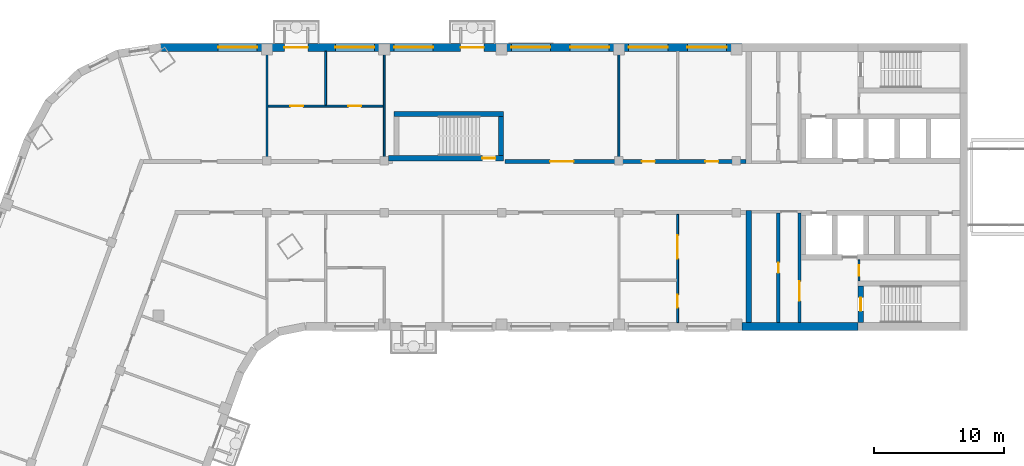
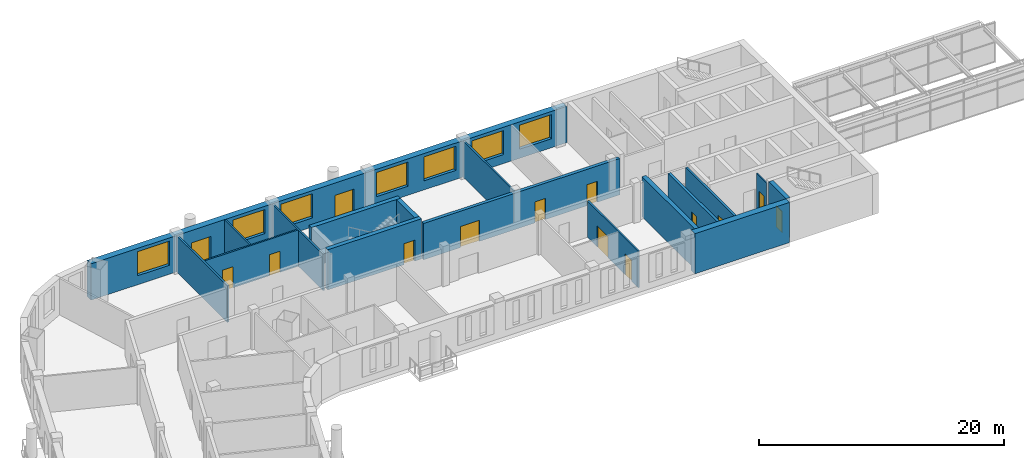
# One storey, part 7 of 12: 17 walls, 14 doors, 7 windows, 21 openings.
"""IFC4 building model written with IfcOpenShell, lengths in metres."""

from ifc_helpers import new_model, si_unit, direction, frame, frame_2d, origin, place, context, subcontext, project, spatial, rectangle, extrude, material, layer, layer_set, type_object, element, fill, save


model = new_model("IFC4")

# Units and contexts
model_context = context("Model", 3, precision=1e-05, world=origin(), true_north=direction((0.0, 1.0)))
body_context = subcontext(model_context, "Body", "Model", "MODEL_VIEW")
ifc_project = project(units=[si_unit("LENGTHUNIT", "METRE"), si_unit("AREAUNIT", "SQUARE_METRE"), si_unit("VOLUMEUNIT", "CUBIC_METRE"), si_unit("PLANEANGLEUNIT", "RADIAN"), si_unit("MASSUNIT", "GRAM", prefix="KILO")], contexts=[model_context])

# Site, building, storey
site_placement = place(None, origin())
site = spatial("IfcSite", under=ifc_project, at=site_placement, CompositionType="ELEMENT")
building_placement = place(site_placement, origin())
building = spatial("IfcBuilding", under=site, at=building_placement, Name="Skarvind Civic Tower", CompositionType="ELEMENT")
storey_placement = place(building_placement, frame((0.0, 0.0, 117.0)))
storey = spatial("IfcBuildingStorey", under=building, at=storey_placement, Name="L27", CompositionType="ELEMENT", Elevation=117.0)

# Wall
ifc_material_1 = material(Name="Acoustic gypsum board on steel studs", Category="steel")
ifc_layer_1 = layer(ifc_material_1, 0.175048828125)
ifc_layer_set_1 = layer_set([ifc_layer_1], Name="ACOUSTIC MEETING-ROOM PARTITION 175")
wall_type_1 = type_object("IfcWallType", Name="ACOUSTIC MEETING-ROOM PARTITION 175", PredefinedType="PARTITIONING", material=ifc_layer_set_1)
wall_1_placement = place(storey_placement, frame((54.25, 138.39990234375, 0.0), z_axis=(0.0, 0.0, 1.0), x_axis=(0.0, -1.0, 0.0)))
element("IfcWall", 1, at=wall_1_placement, inside=storey, type_object=wall_type_1, Name="Partition 27.022", PredefinedType="PARTITIONING", context=body_context, shape_type="SweptSolid", body=[
    extrude(rectangle(XDim=8.2998046875, YDim=0.175048828125, at=frame_2d((4.14990234375, 0.0))), origin(), (0.0, 0.0, 1.0), 3.625),
])

# Wall, openings, doors
ifc_material_2 = material(Name="Fire-rated gypsum board on steel studs", Category="steel")
ifc_layer_2 = layer(ifc_material_2, 0.300048828125)
ifc_layer_set_2 = layer_set([ifc_layer_2], Name="CORRIDOR WALL 300")
wall_type_2 = type_object("IfcWallType", Name="CORRIDOR WALL 300", PredefinedType="PARTITIONING", material=ifc_layer_set_2)
wall_2_placement = place(storey_placement, frame((72.5, 129.949951171875, 0.0), z_axis=(0.0, 0.0, 1.0), x_axis=(1.0, 0.0, 0.0)))
wall_2 = element("IfcWall", 2, at=wall_2_placement, inside=storey, type_object=wall_type_2, Name="Partition 27.029", PredefinedType="PARTITIONING", context=body_context, shape_type="SweptSolid", body=[
    extrude(rectangle(XDim=18.5, YDim=0.300048828125, at=frame_2d((9.25, 0.0))), origin(), (0.0, 0.0, 1.0), 3.625),
])
opening_1_placement = place(wall_2_placement, frame((15.375, 0.0, 0.0)))
opening_1 = element("IfcOpeningElement", 3, at=opening_1_placement, cuts=wall_2, Name="Opening L27-D001", PredefinedType="OPENING", context=body_context, shape_type="SweptSolid", body=[
    extrude(rectangle(XDim=1.0, YDim=2.10009765625, at=frame_2d((0.5, 1.050048828125))), frame((0.0, 0.159912109375, 0.0), z_axis=(0.0, -1.0, 0.0), x_axis=(1.0, 0.0, 0.0)), (0.0, 0.0, 1.0), 0.320068359375),
])
opening_2_placement = place(wall_2_placement, frame((10.5, 0.0, 0.0)))
opening_2 = element("IfcOpeningElement", 4, at=opening_2_placement, cuts=wall_2, Name="Opening L27-D002", PredefinedType="OPENING", context=body_context, shape_type="SweptSolid", body=[
    extrude(rectangle(XDim=1.0, YDim=2.10009765625, at=frame_2d((0.5, 1.050048828125))), frame((0.0, 0.159912109375, 0.0), z_axis=(0.0, -1.0, 0.0), x_axis=(1.0, 0.0, 0.0)), (0.0, 0.0, 1.0), 0.320068359375),
])
opening_3_placement = place(wall_2_placement, frame((3.47509765625, 0.0, 0.0)))
opening_3 = element("IfcOpeningElement", 5, at=opening_3_placement, cuts=wall_2, Name="Opening L27-D003", PredefinedType="OPENING", context=body_context, shape_type="SweptSolid", body=[
    extrude(rectangle(XDim=1.800048828125, YDim=2.10009765625, at=frame_2d((0.89990234375, 1.050048828125))), frame((0.0, 0.159912109375, 0.0), z_axis=(0.0, -1.0, 0.0), x_axis=(1.0, 0.0, 0.0)), (0.0, 0.0, 1.0), 0.320068359375),
])
ifc_material_3 = material(Name="Fire-rated timber door leaf", Category="wood")
door_type_1 = type_object("IfcDoorType", Name="FD1 1000x2100", OperationType="NOTDEFINED", PredefinedType="DOOR", material=ifc_material_3)
door_1_placement = place(opening_1_placement, origin())
door_1 = element("IfcDoor", 6, at=door_1_placement, inside=storey, type_object=door_type_1, Name="Door L27-D001", OperationType="SINGLE_SWING_LEFT", OverallHeight=2.10009765625, OverallWidth=1.0, PredefinedType="DOOR", context=body_context, shape_type="SweptSolid", body=[
    extrude(rectangle(XDim=1.0, YDim=2.10009765625, at=frame_2d((0.5, 1.050048828125))), frame((0.0, 0.02490234375, 0.0), z_axis=(0.0, -1.0, 0.0), x_axis=(1.0, 0.0, 0.0)), (0.0, 0.0, 1.0), 0.050048828125),
])
fill(opening_1, door_1)
door_2_placement = place(opening_2_placement, origin())
door_2 = element("IfcDoor", 7, at=door_2_placement, inside=storey, type_object=door_type_1, Name="Door L27-D002", OperationType="SINGLE_SWING_LEFT", OverallHeight=2.10009765625, OverallWidth=1.0, PredefinedType="DOOR", context=body_context, shape_type="SweptSolid", body=[
    extrude(rectangle(XDim=1.0, YDim=2.10009765625, at=frame_2d((0.5, 1.050048828125))), frame((0.0, 0.02490234375, 0.0), z_axis=(0.0, -1.0, 0.0), x_axis=(1.0, 0.0, 0.0)), (0.0, 0.0, 1.0), 0.050048828125),
])
fill(opening_2, door_2)
door_type_2 = type_object("IfcDoorType", Name="FD4 1800x2100", OperationType="NOTDEFINED", PredefinedType="DOOR", material=ifc_material_3)
door_3_placement = place(opening_3_placement, origin())
door_3 = element("IfcDoor", 8, at=door_3_placement, inside=storey, type_object=door_type_2, Name="Door L27-D003", OperationType="DOUBLE_DOOR_SINGLE_SWING", OverallHeight=2.10009765625, OverallWidth=1.800048828125, PredefinedType="DOOR", context=body_context, shape_type="SweptSolid", body=[
    extrude(rectangle(XDim=1.800048828125, YDim=2.10009765625, at=frame_2d((0.89990234375, 1.050048828125))), frame((0.0, 0.02490234375, 0.0), z_axis=(0.0, -1.0, 0.0), x_axis=(1.0, 0.0, 0.0)), (0.0, 0.0, 1.0), 0.050048828125),
])
fill(opening_3, door_3)

# Wall, opening, door
ifc_material_4 = material(Name="Fire-rated masonry partition", Category="masonry")
ifc_layer_3 = layer(ifc_material_4, 0.199951171875)
ifc_layer_set_3 = layer_set([ifc_layer_3], Name="Core enclosure wall 200")
wall_type_3 = type_object("IfcWallType", Name="Core enclosure wall 200", PredefinedType="PARTITIONING", material=ifc_layer_set_3)
wall_3_placement = place(storey_placement, frame((95.10009765625, 117.60009765625, 0.0), z_axis=(0.0, 0.0, 1.0), x_axis=(0.0, 1.0, 0.0)))
wall_3 = element("IfcWall", 9, at=wall_3_placement, inside=storey, type_object=wall_type_3, Name="Core wall C1", PredefinedType="PARTITIONING", context=body_context, shape_type="SweptSolid", body=[
    extrude(rectangle(XDim=8.39990234375, YDim=0.199951171875, at=frame_2d((4.199951171875, 0.0))), origin(), (0.0, 0.0, 1.0), 3.625),
])
opening_4_placement = place(wall_3_placement, frame((1.64990234375, 0.0, 0.0)))
opening_4 = element("IfcOpeningElement", 10, at=opening_4_placement, cuts=wall_3, Name="Opening D-L27-C1-06", PredefinedType="OPENING", context=body_context, shape_type="SweptSolid", body=[
    extrude(rectangle(XDim=1.5, YDim=2.10009765625, at=frame_2d((0.75, 1.050048828125))), frame((0.0, 0.10986328125, 0.0), z_axis=(0.0, -1.0, 0.0), x_axis=(1.0, 0.0, 0.0)), (0.0, 0.0, 1.0), 0.219970703125),
])
ifc_material_5 = material(Name="Fire-rated steel door", Category="steel")
door_type_3 = type_object("IfcDoorType", Name="Fire door 1500", OperationType="NOTDEFINED", PredefinedType="DOOR", material=ifc_material_5)
door_4_placement = place(opening_4_placement, origin())
door_4 = element("IfcDoor", 11, at=door_4_placement, inside=storey, type_object=door_type_3, Name="Fire door", OperationType="DOUBLE_DOOR_SINGLE_SWING", OverallHeight=2.10009765625, OverallWidth=1.5, PredefinedType="DOOR", context=body_context, shape_type="SweptSolid", body=[
    extrude(rectangle(XDim=1.5, YDim=2.10009765625, at=frame_2d((0.75, 1.050048828125))), frame((0.0, 0.02490234375, 0.0), z_axis=(0.0, -1.0, 0.0), x_axis=(1.0, 0.0, 0.0)), (0.0, 0.0, 1.0), 0.050048828125),
])
fill(opening_4, door_4)

ifc_material_6 = material(Name="Concrete C80", Category="concrete")
ifc_layer_4 = layer(ifc_material_6, 0.39990234375)
ifc_layer_set_4 = layer_set([ifc_layer_4], Name="Core wall 400 C80")
wall_type_4 = type_object("IfcWallType", Name="Core wall 400 C80", PredefinedType="SHEAR", material=ifc_layer_set_4)
wall_4_placement = place(storey_placement, frame((99.800048828125, 120.39990234375, 0.0), z_axis=(0.0, 0.0, 1.0), x_axis=(0.0, -1.0, 0.0)))
wall_4 = element("IfcWall", 12, at=wall_4_placement, inside=storey, type_object=wall_type_4, Name="Core wall C1 north stair end L27", PredefinedType="SHEAR", context=body_context, shape_type="SweptSolid", body=[
    extrude(rectangle(XDim=2.7998046875, YDim=0.39990234375, at=frame_2d((1.39990234375, 0.0))), origin(), (0.0, 0.0, 1.0), 4.0),
])
opening_5_placement = place(wall_4_placement, frame((0.89990234375, 0.0, 0.0)))
opening_5 = element("IfcOpeningElement", 13, at=opening_5_placement, cuts=wall_4, Name="Opening D-L27-C1-07", PredefinedType="OPENING", context=body_context, shape_type="SweptSolid", body=[
    extrude(rectangle(XDim=1.0, YDim=2.10009765625, at=frame_2d((0.5, 1.050048828125))), frame((0.0, 0.2099609375, 0.0), z_axis=(0.0, -1.0, 0.0), x_axis=(1.0, 0.0, 0.0)), (0.0, 0.0, 1.0), 0.419921875),
])
door_type_4 = type_object("IfcDoorType", Name="Fire door 1000", OperationType="NOTDEFINED", PredefinedType="DOOR", material=ifc_material_5)
door_5_placement = place(opening_5_placement, origin())
door_5 = element("IfcDoor", 14, at=door_5_placement, inside=storey, type_object=door_type_4, Name="Fire door", OperationType="SINGLE_SWING_LEFT", OverallHeight=2.10009765625, OverallWidth=1.0, PredefinedType="DOOR", context=body_context, shape_type="SweptSolid", body=[
    extrude(rectangle(XDim=1.0, YDim=2.10009765625, at=frame_2d((0.5, 1.050048828125))), frame((0.0, 0.02490234375, 0.0), z_axis=(0.0, -1.0, 0.0), x_axis=(1.0, 0.0, 0.0)), (0.0, 0.0, 1.0), 0.050048828125),
])
fill(opening_5, door_5)

# Wall
wall_5_placement = place(storey_placement, frame((91.199951171875, 126.199951171875, 0.0), z_axis=(0.0, 0.0, 1.0), x_axis=(0.0, -1.0, 0.0)))
element("IfcWall", 15, at=wall_5_placement, inside=storey, type_object=wall_type_4, Name="Core wall C1 north inner face L27", PredefinedType="SHEAR", context=body_context, shape_type="SweptSolid", body=[
    extrude(rectangle(XDim=8.599853515625, YDim=0.39990234375, at=frame_2d((4.2998046875, 0.0))), origin(), (0.0, 0.0, 1.0), 4.0),
])

# Wall, opening, door
wall_6_placement = place(storey_placement, frame((63.574951171875, 130.199951171875, 0.0), z_axis=(0.0, 0.0, 1.0), x_axis=(1.0, 0.0, 0.0)))
wall_6 = element("IfcWall", 16, at=wall_6_placement, inside=storey, type_object=wall_type_4, Name="Core wall CM inner L27", PredefinedType="SHEAR", context=body_context, shape_type="SweptSolid", body=[
    extrude(rectangle(XDim=8.824951171875, YDim=0.39990234375, at=frame_2d((4.41259765625, 0.0))), origin(), (0.0, 0.0, 1.0), 4.0),
])
opening_6_placement = place(wall_6_placement, frame((7.199951171875, 0.0, 0.0)))
opening_6 = element("IfcOpeningElement", 17, at=opening_6_placement, cuts=wall_6, Name="Opening D-L27-CM-01", PredefinedType="OPENING", context=body_context, shape_type="SweptSolid", body=[
    extrude(rectangle(XDim=1.0, YDim=2.10009765625, at=frame_2d((0.5, 1.050048828125))), frame((0.0, 0.2099609375, 0.0), z_axis=(0.0, -1.0, 0.0), x_axis=(1.0, 0.0, 0.0)), (0.0, 0.0, 1.0), 0.419921875),
])
door_6_placement = place(opening_6_placement, origin())
door_6 = element("IfcDoor", 18, at=door_6_placement, inside=storey, type_object=door_type_4, Name="Fire door", OperationType="SINGLE_SWING_LEFT", OverallHeight=2.10009765625, OverallWidth=1.0, PredefinedType="DOOR", context=body_context, shape_type="SweptSolid", body=[
    extrude(rectangle(XDim=1.0, YDim=2.10009765625, at=frame_2d((0.5, 1.050048828125))), frame((0.0, 0.02490234375, 0.0), z_axis=(0.0, -1.0, 0.0), x_axis=(1.0, 0.0, 0.0)), (0.0, 0.0, 1.0), 0.050048828125),
])
fill(opening_6, door_6)

# Walls
wall_7_placement = place(storey_placement, frame((64.0, 133.60009765625, 0.0), z_axis=(0.0, 0.0, 1.0), x_axis=(1.0, 0.0, 0.0)))
element("IfcWall", 19, at=wall_7_placement, inside=storey, type_object=wall_type_4, Name="Core wall CM outer L27", PredefinedType="SHEAR", context=body_context, shape_type="SweptSolid", body=[
    extrude(rectangle(XDim=8.39990234375, YDim=0.39990234375, at=frame_2d((4.199951171875, 0.0))), origin(), (0.0, 0.0, 1.0), 4.0),
])
wall_8_placement = place(storey_placement, frame((72.199951171875, 130.39990234375, 0.0), z_axis=(0.0, 0.0, 1.0), x_axis=(0.0, 1.0, 0.0)))
element("IfcWall", 20, at=wall_8_placement, inside=storey, type_object=wall_type_4, Name="Core wall CM end L27", PredefinedType="SHEAR", context=body_context, shape_type="SweptSolid", body=[
    extrude(rectangle(XDim=3.0, YDim=0.39990234375, at=frame_2d((1.5, 0.0))), origin(), (0.0, 0.0, 1.0), 4.0),
])
ifc_layer_5 = layer(ifc_material_6, 0.60009765625)
ifc_layer_set_5 = layer_set([ifc_layer_5], Name="Core wall 600 C80")
wall_type_5 = type_object("IfcWallType", Name="Core wall 600 C80", PredefinedType="SHEAR", material=ifc_layer_set_5)
wall_9_placement = place(storey_placement, frame((99.60009765625, 117.300048828125, 0.0), z_axis=(0.0, 0.0, 1.0), x_axis=(-1.0, 0.0, 0.0)))
element("IfcWall", 21, at=wall_9_placement, inside=storey, type_object=wall_type_5, Name="Core wall C1 north side L27", PredefinedType="SHEAR", context=body_context, shape_type="SweptSolid", body=[
    extrude(rectangle(XDim=8.925048828125, YDim=0.60009765625, at=frame_2d((4.46240234375, 0.0))), origin(), (0.0, 0.0, 1.0), 4.0),
])

# Wall, openings, doors
ifc_material_7 = material(Name="Plasterboard partition on steel studs", Category="steel")
ifc_layer_6 = layer(ifc_material_7, 0.14990234375)
ifc_layer_set_6 = layer_set([ifc_layer_6], Name="PARTITION 150")
wall_type_6 = type_object("IfcWallType", Name="PARTITION 150", PredefinedType="PARTITIONING", material=ifc_layer_set_6)
wall_10_placement = place(storey_placement, frame((63.175048828125, 134.199951171875, 0.0), z_axis=(0.0, 0.0, 1.0), x_axis=(-1.0, 0.0, 0.0)))
wall_10 = element("IfcWall", 22, at=wall_10_placement, inside=storey, type_object=wall_type_6, Name="Partition 27.021", PredefinedType="PARTITIONING", context=body_context, shape_type="SweptSolid", body=[
    extrude(rectangle(XDim=8.837158203125, YDim=0.14990234375, at=frame_2d((4.41845703125, 0.0))), origin(), (0.0, 0.0, 1.0), 3.625),
])
opening_7_placement = place(wall_10_placement, frame((1.702392578125, 0.0, 0.0)))
opening_7 = element("IfcOpeningElement", 23, at=opening_7_placement, cuts=wall_10, Name="Opening L27-D004", PredefinedType="OPENING", context=body_context, shape_type="SweptSolid", body=[
    extrude(rectangle(XDim=1.0, YDim=2.10009765625, at=frame_2d((0.5, 1.050048828125))), frame((0.0, 0.0849609375, 0.0), z_axis=(0.0, -1.0, 0.0), x_axis=(1.0, 0.0, 0.0)), (0.0, 0.0, 1.0), 0.169921875),
])
opening_8_placement = place(wall_10_placement, frame((6.14111328125, 0.0, 0.0)))
opening_8 = element("IfcOpeningElement", 24, at=opening_8_placement, cuts=wall_10, Name="Opening L27-D005", PredefinedType="OPENING", context=body_context, shape_type="SweptSolid", body=[
    extrude(rectangle(XDim=1.0, YDim=2.10009765625, at=frame_2d((0.5, 1.050048828125))), frame((0.0, 0.0849609375, 0.0), z_axis=(0.0, -1.0, 0.0), x_axis=(1.0, 0.0, 0.0)), (0.0, 0.0, 1.0), 0.169921875),
])
ifc_material_8 = material(Name="Timber door leaf", Category="wood")
door_type_5 = type_object("IfcDoorType", Name="D1 1000x2100", OperationType="NOTDEFINED", PredefinedType="DOOR", material=ifc_material_8)
door_7_placement = place(opening_7_placement, origin())
door_7 = element("IfcDoor", 25, at=door_7_placement, inside=storey, type_object=door_type_5, Name="Door L27-D004", OperationType="SINGLE_SWING_LEFT", OverallHeight=2.10009765625, OverallWidth=1.0, PredefinedType="DOOR", context=body_context, shape_type="SweptSolid", body=[
    extrude(rectangle(XDim=1.0, YDim=2.10009765625, at=frame_2d((0.5, 1.050048828125))), frame((0.0, 0.02490234375, 0.0), z_axis=(0.0, -1.0, 0.0), x_axis=(1.0, 0.0, 0.0)), (0.0, 0.0, 1.0), 0.050048828125),
])
fill(opening_7, door_7)
door_8_placement = place(opening_8_placement, origin())
door_8 = element("IfcDoor", 26, at=door_8_placement, inside=storey, type_object=door_type_5, Name="Door L27-D005", OperationType="SINGLE_SWING_RIGHT", OverallHeight=2.10009765625, OverallWidth=1.0, PredefinedType="DOOR", context=body_context, shape_type="SweptSolid", body=[
    extrude(rectangle(XDim=1.0, YDim=2.10009765625, at=frame_2d((0.5, 1.050048828125))), frame((0.0, 0.02490234375, 0.0), z_axis=(0.0, -1.0, 0.0), x_axis=(1.0, 0.0, 0.0)), (0.0, 0.0, 1.0), 0.050048828125),
])
fill(opening_8, door_8)

# Walls
wall_11_placement = place(storey_placement, frame((58.75, 134.27490234375, 0.0), z_axis=(0.0, 0.0, 1.0), x_axis=(0.0, 1.0, 0.0)))
element("IfcWall", 27, at=wall_11_placement, inside=storey, type_object=wall_type_6, Name="Partition 27.024", PredefinedType="PARTITIONING", context=body_context, shape_type="SweptSolid", body=[
    extrude(rectangle(XDim=4.125, YDim=0.14990234375, at=frame_2d((2.0625, 0.0))), origin(), (0.0, 0.0, 1.0), 3.625),
])
for number, where, z_axis, x_axis, name in (
    (28, (63.25, 130.10009765625, 0.0), (0.0, 0.0, 1.0), (0.0, 1.0, 0.0), "Partition 27.027"),
    (29, (81.25, 130.10009765625, 0.0), (0.0, 0.0, 1.0), (0.0, 1.0, 0.0), "Partition 27.032"),
):
    element("IfcWall", number, at=place(storey_placement, frame(where, z_axis=z_axis, x_axis=x_axis)), inside=storey, type_object=wall_type_6, Name=name, PredefinedType="PARTITIONING", context=body_context, shape_type="SweptSolid", body=[
        extrude(rectangle(XDim=8.2998046875, YDim=0.14990234375, at=frame_2d((4.14990234375, 0.0))), origin(), (0.0, 0.0, 1.0), 3.625),
    ])

# Wall, openings, doors
wall_12_placement = place(storey_placement, frame((85.75, 117.60009765625, 0.0), z_axis=(0.0, 0.0, 1.0), x_axis=(0.0, 1.0, 0.0)))
wall_12 = element("IfcWall", 30, at=wall_12_placement, inside=storey, type_object=wall_type_6, Name="Partition 27.033", PredefinedType="PARTITIONING", context=body_context, shape_type="SweptSolid", body=[
    extrude(rectangle(XDim=8.2998046875, YDim=0.14990234375, at=frame_2d((4.14990234375, 0.0))), origin(), (0.0, 0.0, 1.0), 3.625),
])
opening_9_placement = place(wall_12_placement, frame((1.125, 0.0, 0.0)))
opening_9 = element("IfcOpeningElement", 31, at=opening_9_placement, cuts=wall_12, Name="Opening L27-D008", PredefinedType="OPENING", context=body_context, shape_type="SweptSolid", body=[
    extrude(rectangle(XDim=1.0, YDim=2.10009765625, at=frame_2d((0.5, 1.050048828125))), frame((0.0, 0.0849609375, 0.0), z_axis=(0.0, -1.0, 0.0), x_axis=(1.0, 0.0, 0.0)), (0.0, 0.0, 1.0), 0.169921875),
])
opening_10_placement = place(wall_12_placement, frame((4.883544921875, 0.0, 0.0)))
opening_10 = element("IfcOpeningElement", 32, at=opening_10_placement, cuts=wall_12, Name="Opening L27-D009", PredefinedType="OPENING", context=body_context, shape_type="SweptSolid", body=[
    extrude(rectangle(XDim=1.800048828125, YDim=2.10009765625, at=frame_2d((0.89990234375, 1.050048828125))), frame((0.0, 0.0849609375, 0.0), z_axis=(0.0, -1.0, 0.0), x_axis=(1.0, 0.0, 0.0)), (0.0, 0.0, 1.0), 0.169921875),
])
door_9_placement = place(opening_9_placement, origin())
door_9 = element("IfcDoor", 33, at=door_9_placement, inside=storey, type_object=door_type_5, Name="Door L27-D008", OperationType="SINGLE_SWING_RIGHT", OverallHeight=2.10009765625, OverallWidth=1.0, PredefinedType="DOOR", context=body_context, shape_type="SweptSolid", body=[
    extrude(rectangle(XDim=1.0, YDim=2.10009765625, at=frame_2d((0.5, 1.050048828125))), frame((0.0, 0.02490234375, 0.0), z_axis=(0.0, -1.0, 0.0), x_axis=(1.0, 0.0, 0.0)), (0.0, 0.0, 1.0), 0.050048828125),
])
fill(opening_9, door_9)
door_type_6 = type_object("IfcDoorType", Name="D4 1800x2100", OperationType="NOTDEFINED", PredefinedType="DOOR", material=ifc_material_8)
door_10_placement = place(opening_10_placement, origin())
door_10 = element("IfcDoor", 34, at=door_10_placement, inside=storey, type_object=door_type_6, Name="Door L27-D009", OperationType="DOUBLE_DOOR_SINGLE_SWING", OverallHeight=2.10009765625, OverallWidth=1.800048828125, PredefinedType="DOOR", context=body_context, shape_type="SweptSolid", body=[
    extrude(rectangle(XDim=1.800048828125, YDim=2.10009765625, at=frame_2d((0.89990234375, 1.050048828125))), frame((0.0, 0.02490234375, 0.0), z_axis=(0.0, -1.0, 0.0), x_axis=(1.0, 0.0, 0.0)), (0.0, 0.0, 1.0), 0.050048828125),
])
fill(opening_10, door_10)

# Wall, opening, door
ifc_layer_7 = layer(ifc_material_4, 0.125)
ifc_layer_set_7 = layer_set([ifc_layer_7], Name="Riser wall 125")
wall_type_7 = type_object("IfcWallType", Name="Riser wall 125", PredefinedType="PARTITIONING", material=ifc_layer_set_7)
wall_13_placement = place(storey_placement, frame((99.66259765625, 120.800048828125, 0.0), z_axis=(0.0, 0.0, 1.0), x_axis=(0.0, 1.0, 0.0)))
wall_13 = element("IfcWall", 35, at=wall_13_placement, inside=storey, type_object=wall_type_7, Name="Core wall C1", PredefinedType="PARTITIONING", context=body_context, shape_type="SweptSolid", body=[
    extrude(rectangle(XDim=1.599853515625, YDim=0.125, at=frame_2d((0.7998046875, 0.0))), origin(), (0.0, 0.0, 1.0), 3.625),
])
opening_11_placement = place(wall_13_placement, frame((0.39990234375, 0.0, 0.0)))
opening_11 = element("IfcOpeningElement", 36, at=opening_11_placement, cuts=wall_13, Name="Opening D-L27-C1-08", PredefinedType="OPENING", context=body_context, shape_type="SweptSolid", body=[
    extrude(rectangle(XDim=0.800048828125, YDim=2.10009765625, at=frame_2d((0.39990234375, 1.050048828125))), frame((0.0, 0.072509765625, 0.0), z_axis=(0.0, -1.0, 0.0), x_axis=(1.0, 0.0, 0.0)), (0.0, 0.0, 1.0), 0.14501953125),
])
door_type_7 = type_object("IfcDoorType", Name="Core riser door 800", OperationType="NOTDEFINED", PredefinedType="DOOR", material=ifc_material_5)
door_11_placement = place(opening_11_placement, origin())
door_11 = element("IfcDoor", 37, at=door_11_placement, inside=storey, type_object=door_type_7, Name="Riser door", OperationType="SINGLE_SWING_RIGHT", OverallHeight=2.10009765625, OverallWidth=0.800048828125, PredefinedType="DOOR", context=body_context, shape_type="SweptSolid", body=[
    extrude(rectangle(XDim=0.800048828125, YDim=2.10009765625, at=frame_2d((0.39990234375, 1.050048828125))), frame((0.0, 0.02490234375, 0.0), z_axis=(0.0, -1.0, 0.0), x_axis=(1.0, 0.0, 0.0)), (0.0, 0.0, 1.0), 0.050048828125),
])
fill(opening_11, door_11)

ifc_layer_8 = layer(ifc_material_4, 0.25)
ifc_layer_set_8 = layer_set([ifc_layer_8], Name="Service block wall 250")
wall_type_8 = type_object("IfcWallType", Name="Service block wall 250", PredefinedType="PARTITIONING", material=ifc_layer_set_8)
wall_14_placement = place(storey_placement, frame((93.47509765625, 117.60009765625, 0.0), z_axis=(0.0, 0.0, 1.0), x_axis=(0.0, 1.0, 0.0)))
wall_14 = element("IfcWall", 38, at=wall_14_placement, inside=storey, type_object=wall_type_8, Name="Core wall C1", PredefinedType="PARTITIONING", context=body_context, shape_type="SweptSolid", body=[
    extrude(rectangle(XDim=8.39990234375, YDim=0.25, at=frame_2d((4.199951171875, 0.0))), origin(), (0.0, 0.0, 1.0), 3.625),
])
opening_12_placement = place(wall_14_placement, frame((3.800048828125, 0.0, 0.0)))
opening_12 = element("IfcOpeningElement", 39, at=opening_12_placement, cuts=wall_14, Name="Opening D-L27-C1-09", PredefinedType="OPENING", context=body_context, shape_type="SweptSolid", body=[
    extrude(rectangle(XDim=0.800048828125, YDim=2.10009765625, at=frame_2d((0.39990234375, 1.050048828125))), frame((0.0, 0.135009765625, 0.0), z_axis=(0.0, -1.0, 0.0), x_axis=(1.0, 0.0, 0.0)), (0.0, 0.0, 1.0), 0.27001953125),
])
door_12_placement = place(opening_12_placement, origin())
door_12 = element("IfcDoor", 40, at=door_12_placement, inside=storey, type_object=door_type_7, Name="Riser door", OperationType="SINGLE_SWING_LEFT", OverallHeight=2.10009765625, OverallWidth=0.800048828125, PredefinedType="DOOR", context=body_context, shape_type="SweptSolid", body=[
    extrude(rectangle(XDim=0.800048828125, YDim=2.10009765625, at=frame_2d((0.39990234375, 1.050048828125))), frame((0.0, 0.02490234375, 0.0), z_axis=(0.0, -1.0, 0.0), x_axis=(1.0, 0.0, 0.0)), (0.0, 0.0, 1.0), 0.050048828125),
])
fill(opening_12, door_12)

# Wall, openings, doors, windows
ifc_material_9 = material(Name="Limestone masonry cladding on insulated backing", Category="masonry")
ifc_layer_9 = layer(ifc_material_9, 0.60009765625)
ifc_layer_set_9 = layer_set([ifc_layer_9], Name="WX1 STONE FACADE WALL 600")
wall_type_9 = type_object("IfcWallType", Name="WX1 STONE FACADE WALL 600", PredefinedType="SOLIDWALL", material=ifc_layer_set_9)
wall_15_placement = place(storey_placement, frame((46.095458984375, 138.699951171875, 0.0), z_axis=(0.0, 0.0, 1.0), x_axis=(1.0, 0.0, 0.0)))
wall_15 = element("IfcWall", 41, at=wall_15_placement, inside=storey, type_object=wall_type_9, Name="STONE FACADE WALL", PredefinedType="SOLIDWALL", context=body_context, shape_type="SweptSolid", body=[
    extrude(rectangle(XDim=44.884521484375, YDim=0.60009765625, at=frame_2d((22.4423828125, 0.0))), origin(), (0.0, 0.0, 1.0), 3.625),
])
opening_13_placement = place(wall_15_placement, frame((4.404541015625, 0.0, 0.89990234375)))
opening_13 = element("IfcOpeningElement", 42, at=opening_13_placement, cuts=wall_15, Name="Opening WN1", PredefinedType="OPENING", context=body_context, shape_type="SweptSolid", body=[
    extrude(rectangle(XDim=3.0, YDim=2.39990234375, at=frame_2d((1.5, 1.199951171875))), frame((0.0, 0.31005859375, 0.0), z_axis=(0.0, -1.0, 0.0), x_axis=(1.0, 0.0, 0.0)), (0.0, 0.0, 1.0), 0.6201171875),
])
opening_14_placement = place(wall_15_placement, frame((9.50439453125, 0.0, 0.0)))
opening_14 = element("IfcOpeningElement", 43, at=opening_14_placement, cuts=wall_15, Name="Opening DX3", PredefinedType="OPENING", context=body_context, shape_type="SweptSolid", body=[
    extrude(rectangle(XDim=1.800048828125, YDim=2.39990234375, at=frame_2d((0.89990234375, 1.199951171875))), frame((0.0, 0.31005859375, 0.0), z_axis=(0.0, -1.0, 0.0), x_axis=(1.0, 0.0, 0.0)), (0.0, 0.0, 1.0), 0.6201171875),
])
opening_15_placement = place(wall_15_placement, frame((13.404541015625, 0.0, 0.89990234375)))
opening_15 = element("IfcOpeningElement", 44, at=opening_15_placement, cuts=wall_15, Name="Opening WN1", PredefinedType="OPENING", context=body_context, shape_type="SweptSolid", body=[
    extrude(rectangle(XDim=3.0, YDim=2.39990234375, at=frame_2d((1.5, 1.199951171875))), frame((0.0, 0.31005859375, 0.0), z_axis=(0.0, -1.0, 0.0), x_axis=(1.0, 0.0, 0.0)), (0.0, 0.0, 1.0), 0.6201171875),
])
opening_16_placement = place(wall_15_placement, frame((17.904541015625, 0.0, 0.89990234375)))
opening_16 = element("IfcOpeningElement", 45, at=opening_16_placement, cuts=wall_15, Name="Opening WN1", PredefinedType="OPENING", context=body_context, shape_type="SweptSolid", body=[
    extrude(rectangle(XDim=3.0, YDim=2.39990234375, at=frame_2d((1.5, 1.199951171875))), frame((0.0, 0.31005859375, 0.0), z_axis=(0.0, -1.0, 0.0), x_axis=(1.0, 0.0, 0.0)), (0.0, 0.0, 1.0), 0.6201171875),
])
opening_17_placement = place(wall_15_placement, frame((23.00439453125, 0.0, 0.0)))
opening_17 = element("IfcOpeningElement", 46, at=opening_17_placement, cuts=wall_15, Name="Opening DX3", PredefinedType="OPENING", context=body_context, shape_type="SweptSolid", body=[
    extrude(rectangle(XDim=1.800048828125, YDim=2.39990234375, at=frame_2d((0.89990234375, 1.199951171875))), frame((0.0, 0.31005859375, 0.0), z_axis=(0.0, -1.0, 0.0), x_axis=(1.0, 0.0, 0.0)), (0.0, 0.0, 1.0), 0.6201171875),
])
opening_18_placement = place(wall_15_placement, frame((26.904541015625, 0.0, 0.89990234375)))
opening_18 = element("IfcOpeningElement", 47, at=opening_18_placement, cuts=wall_15, Name="Opening WN1", PredefinedType="OPENING", context=body_context, shape_type="SweptSolid", body=[
    extrude(rectangle(XDim=3.0, YDim=2.39990234375, at=frame_2d((1.5, 1.199951171875))), frame((0.0, 0.31005859375, 0.0), z_axis=(0.0, -1.0, 0.0), x_axis=(1.0, 0.0, 0.0)), (0.0, 0.0, 1.0), 0.6201171875),
])
opening_19_placement = place(wall_15_placement, frame((31.404541015625, 0.0, 0.89990234375)))
opening_19 = element("IfcOpeningElement", 48, at=opening_19_placement, cuts=wall_15, Name="Opening WN1", PredefinedType="OPENING", context=body_context, shape_type="SweptSolid", body=[
    extrude(rectangle(XDim=3.0, YDim=2.39990234375, at=frame_2d((1.5, 1.199951171875))), frame((0.0, 0.31005859375, 0.0), z_axis=(0.0, -1.0, 0.0), x_axis=(1.0, 0.0, 0.0)), (0.0, 0.0, 1.0), 0.6201171875),
])
opening_20_placement = place(wall_15_placement, frame((35.904541015625, 0.0, 0.89990234375)))
opening_20 = element("IfcOpeningElement", 49, at=opening_20_placement, cuts=wall_15, Name="Opening WN1", PredefinedType="OPENING", context=body_context, shape_type="SweptSolid", body=[
    extrude(rectangle(XDim=3.0, YDim=2.39990234375, at=frame_2d((1.5, 1.199951171875))), frame((0.0, 0.31005859375, 0.0), z_axis=(0.0, -1.0, 0.0), x_axis=(1.0, 0.0, 0.0)), (0.0, 0.0, 1.0), 0.6201171875),
])
opening_21_placement = place(wall_15_placement, frame((40.404541015625, 0.0, 0.89990234375)))
opening_21 = element("IfcOpeningElement", 50, at=opening_21_placement, cuts=wall_15, Name="Opening WN1", PredefinedType="OPENING", context=body_context, shape_type="SweptSolid", body=[
    extrude(rectangle(XDim=3.0, YDim=2.39990234375, at=frame_2d((1.5, 1.199951171875))), frame((0.0, 0.31005859375, 0.0), z_axis=(0.0, -1.0, 0.0), x_axis=(1.0, 0.0, 0.0)), (0.0, 0.0, 1.0), 0.6201171875),
])
ifc_material_10 = material(Name="Timber and glass doorset", Category="wood")
door_type_8 = type_object("IfcDoorType", Name="DX3 TERRACE DOORS 1800 x 2400", OperationType="NOTDEFINED", PredefinedType="DOOR", material=ifc_material_10)
door_13_placement = place(opening_14_placement, origin())
door_13 = element("IfcDoor", 51, at=door_13_placement, inside=storey, type_object=door_type_8, Name="TERRACE DOORS", OperationType="DOUBLE_DOOR_SINGLE_SWING", OverallHeight=2.39990234375, OverallWidth=1.800048828125, PredefinedType="DOOR", context=body_context, shape_type="SweptSolid", body=[
    extrude(rectangle(XDim=1.800048828125, YDim=2.39990234375, at=frame_2d((0.89990234375, 1.199951171875))), frame((0.0, 0.02490234375, 0.0), z_axis=(0.0, -1.0, 0.0), x_axis=(1.0, 0.0, 0.0)), (0.0, 0.0, 1.0), 0.050048828125),
])
fill(opening_14, door_13)
door_14_placement = place(opening_17_placement, origin())
door_14 = element("IfcDoor", 52, at=door_14_placement, inside=storey, type_object=door_type_8, Name="TERRACE DOORS", OperationType="DOUBLE_DOOR_SINGLE_SWING", OverallHeight=2.39990234375, OverallWidth=1.800048828125, PredefinedType="DOOR", context=body_context, shape_type="SweptSolid", body=[
    extrude(rectangle(XDim=1.800048828125, YDim=2.39990234375, at=frame_2d((0.89990234375, 1.199951171875))), frame((0.0, 0.02490234375, 0.0), z_axis=(0.0, -1.0, 0.0), x_axis=(1.0, 0.0, 0.0)), (0.0, 0.0, 1.0), 0.050048828125),
])
fill(opening_17, door_14)
ifc_material_11 = material(Name="Timber frame, double glazing, timber-lined reveal", Category="wood")
window_type = type_object("IfcWindowType", Name="WN1 PUNCHED STONE WINDOW 3000 x 2400", PartitioningType="SINGLE_PANEL", PredefinedType="WINDOW", material=ifc_material_11)
window_1_placement = place(opening_13_placement, origin())
window_1 = element("IfcWindow", 53, at=window_1_placement, inside=storey, type_object=window_type, Name="WN1 WINDOW", OverallHeight=2.39990234375, OverallWidth=3.0, PartitioningType="SINGLE_PANEL", PredefinedType="WINDOW", context=body_context, shape_type="SweptSolid", body=[
    extrude(rectangle(XDim=3.0, YDim=2.39990234375, at=frame_2d((1.5, 1.199951171875))), frame((0.0, 0.030029296875, 0.0), z_axis=(0.0, -1.0, 0.0), x_axis=(1.0, 0.0, 0.0)), (0.0, 0.0, 1.0), 0.06005859375),
])
fill(opening_13, window_1)
window_2_placement = place(opening_15_placement, origin())
window_2 = element("IfcWindow", 54, at=window_2_placement, inside=storey, type_object=window_type, Name="WN1 WINDOW", OverallHeight=2.39990234375, OverallWidth=3.0, PartitioningType="SINGLE_PANEL", PredefinedType="WINDOW", context=body_context, shape_type="SweptSolid", body=[
    extrude(rectangle(XDim=3.0, YDim=2.39990234375, at=frame_2d((1.5, 1.199951171875))), frame((0.0, 0.030029296875, 0.0), z_axis=(0.0, -1.0, 0.0), x_axis=(1.0, 0.0, 0.0)), (0.0, 0.0, 1.0), 0.06005859375),
])
fill(opening_15, window_2)
window_3_placement = place(opening_16_placement, origin())
window_3 = element("IfcWindow", 55, at=window_3_placement, inside=storey, type_object=window_type, Name="WN1 WINDOW", OverallHeight=2.39990234375, OverallWidth=3.0, PartitioningType="SINGLE_PANEL", PredefinedType="WINDOW", context=body_context, shape_type="SweptSolid", body=[
    extrude(rectangle(XDim=3.0, YDim=2.39990234375, at=frame_2d((1.5, 1.199951171875))), frame((0.0, 0.030029296875, 0.0), z_axis=(0.0, -1.0, 0.0), x_axis=(1.0, 0.0, 0.0)), (0.0, 0.0, 1.0), 0.06005859375),
])
fill(opening_16, window_3)
window_4_placement = place(opening_18_placement, origin())
window_4 = element("IfcWindow", 56, at=window_4_placement, inside=storey, type_object=window_type, Name="WN1 WINDOW", OverallHeight=2.39990234375, OverallWidth=3.0, PartitioningType="SINGLE_PANEL", PredefinedType="WINDOW", context=body_context, shape_type="SweptSolid", body=[
    extrude(rectangle(XDim=3.0, YDim=2.39990234375, at=frame_2d((1.5, 1.199951171875))), frame((0.0, 0.030029296875, 0.0), z_axis=(0.0, -1.0, 0.0), x_axis=(1.0, 0.0, 0.0)), (0.0, 0.0, 1.0), 0.06005859375),
])
fill(opening_18, window_4)
window_5_placement = place(opening_19_placement, origin())
window_5 = element("IfcWindow", 57, at=window_5_placement, inside=storey, type_object=window_type, Name="WN1 WINDOW", OverallHeight=2.39990234375, OverallWidth=3.0, PartitioningType="SINGLE_PANEL", PredefinedType="WINDOW", context=body_context, shape_type="SweptSolid", body=[
    extrude(rectangle(XDim=3.0, YDim=2.39990234375, at=frame_2d((1.5, 1.199951171875))), frame((0.0, 0.030029296875, 0.0), z_axis=(0.0, -1.0, 0.0), x_axis=(1.0, 0.0, 0.0)), (0.0, 0.0, 1.0), 0.06005859375),
])
fill(opening_19, window_5)
window_6_placement = place(opening_20_placement, origin())
window_6 = element("IfcWindow", 58, at=window_6_placement, inside=storey, type_object=window_type, Name="WN1 WINDOW", OverallHeight=2.39990234375, OverallWidth=3.0, PartitioningType="SINGLE_PANEL", PredefinedType="WINDOW", context=body_context, shape_type="SweptSolid", body=[
    extrude(rectangle(XDim=3.0, YDim=2.39990234375, at=frame_2d((1.5, 1.199951171875))), frame((0.0, 0.030029296875, 0.0), z_axis=(0.0, -1.0, 0.0), x_axis=(1.0, 0.0, 0.0)), (0.0, 0.0, 1.0), 0.06005859375),
])
fill(opening_20, window_6)
window_7_placement = place(opening_21_placement, origin())
window_7 = element("IfcWindow", 59, at=window_7_placement, inside=storey, type_object=window_type, Name="WN1 WINDOW", OverallHeight=2.39990234375, OverallWidth=3.0, PartitioningType="SINGLE_PANEL", PredefinedType="WINDOW", context=body_context, shape_type="SweptSolid", body=[
    extrude(rectangle(XDim=3.0, YDim=2.39990234375, at=frame_2d((1.5, 1.199951171875))), frame((0.0, 0.030029296875, 0.0), z_axis=(0.0, -1.0, 0.0), x_axis=(1.0, 0.0, 0.0)), (0.0, 0.0, 1.0), 0.06005859375),
])
fill(opening_21, window_7)

save(model, "model.ifc")
